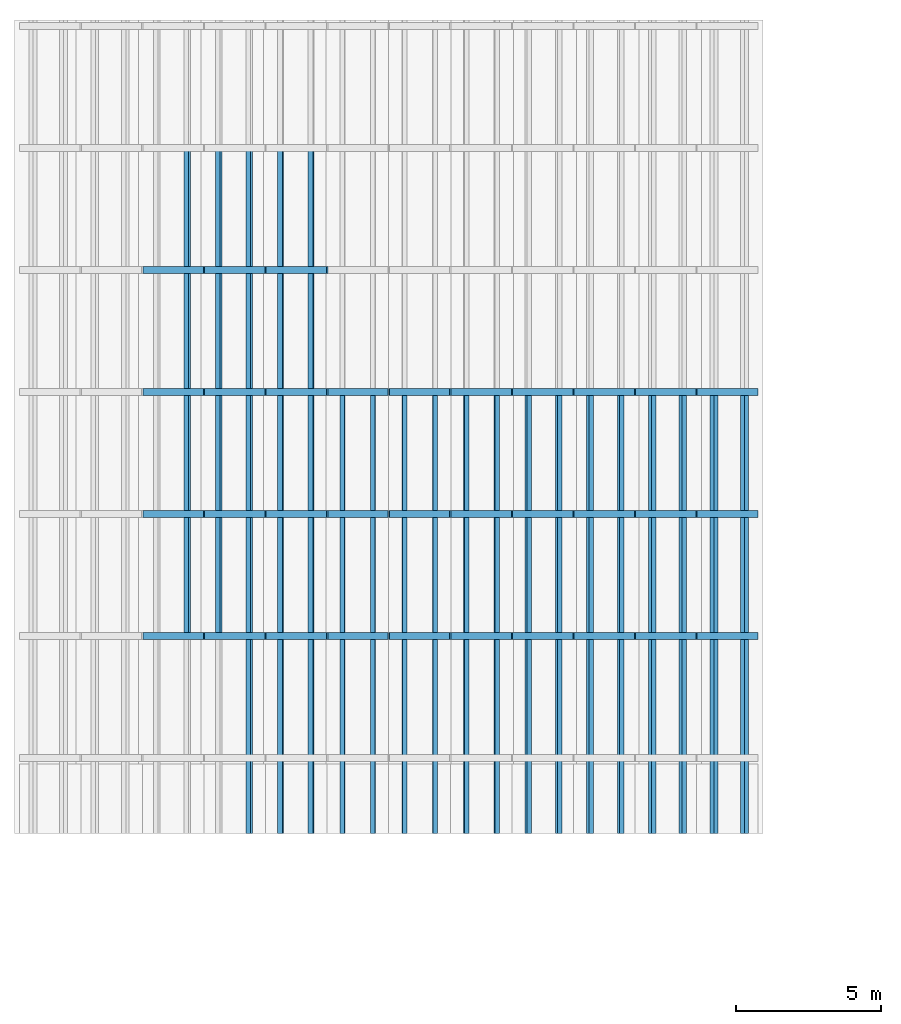
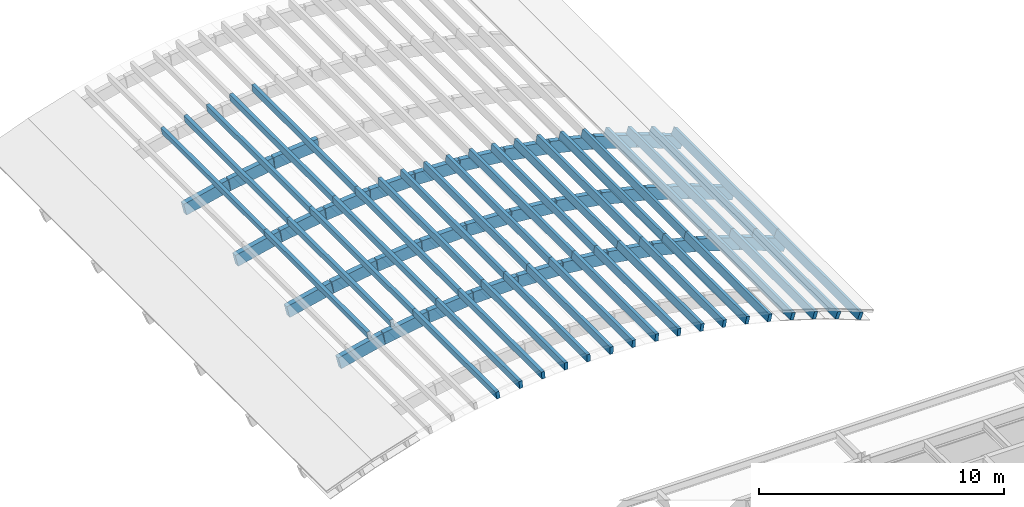
# One storey, part 54 of 116: 41 members, 33 beams.
"""IFC4 building model written with IfcOpenShell, lengths in metres."""

from ifc_helpers import new_model, si_unit, direction, frame, origin, origin_2d, place, context, subcontext, project, spatial, rectangle, extrude, material, material_profile, profile_set, type_object, element, save


model = new_model("IFC4")

# Units and contexts
model_context = context("Model", 3, precision=1e-05, world=origin(), true_north=direction((0.0, 1.0)))
body_context = subcontext(model_context, "Body", "Model", "MODEL_VIEW")
ifc_project = project(units=[si_unit("LENGTHUNIT", "METRE"), si_unit("AREAUNIT", "SQUARE_METRE"), si_unit("VOLUMEUNIT", "CUBIC_METRE"), si_unit("PLANEANGLEUNIT", "RADIAN"), si_unit("MASSUNIT", "GRAM", prefix="KILO")], contexts=[model_context])

# Site, building, storey
site_placement = place(None, origin())
site = spatial("IfcSite", under=ifc_project, at=site_placement, CompositionType="ELEMENT")
building_placement = place(site_placement, origin())
building = spatial("IfcBuilding", under=site, at=building_placement, Name="Ljudholm Concert House", CompositionType="ELEMENT")
storey_placement = place(building_placement, frame((0.0, 0.0, 10.199951171875)))
storey = spatial("IfcBuildingStorey", under=building, at=storey_placement, Name="L02", CompositionType="ELEMENT", Elevation=10.199951171875)

# Members
ifc_material_1 = material(Name="Glulam 24F-1.8E", Category="wood")
ifc_material_profile_1 = material_profile(ifc_material_1, rectangle(XDim=0.159912109375, YDim=0.360107421875, at=origin_2d()), Name="GLULAM PURLIN 160x360")
ifc_profile_set_1 = profile_set([ifc_material_profile_1], Name="Glulam 24F-1.8E")
member_type = type_object("IfcMemberType", Name="GLULAM PURLIN 160x360", PredefinedType="PURLIN", material=ifc_profile_set_1)
member_1_placement = place(storey_placement, frame((68.46533203125, 151.0, 1.901123046875), z_axis=(0.0, 1.0, 0.0), x_axis=(-0.973523031198, 0.0, -0.228588949267)))
element("IfcMember", 1, at=member_1_placement, inside=storey, type_object=member_type, Name="Glulam purlin", PredefinedType="PURLIN", context=body_context, shape_type="SweptSolid", body=[
    extrude(rectangle(XDim=0.159912109375, YDim=0.360107421875, at=origin_2d()), origin(), (0.0, 0.0, 1.0), 8.39990234375),
])
member_2_placement = place(storey_placement, frame((68.46533203125, 159.39990234375, 1.901123046875), z_axis=(0.0, 1.0, 0.0), x_axis=(-0.973523031198, 0.0, -0.228588949267)))
element("IfcMember", 2, at=member_2_placement, inside=storey, type_object=member_type, Name="Glulam purlin", PredefinedType="PURLIN", context=body_context, shape_type="SweptSolid", body=[
    extrude(rectangle(XDim=0.159912109375, YDim=0.360107421875, at=origin_2d()), origin(), (0.0, 0.0, 1.0), 8.400146484375),
])
member_3_placement = place(storey_placement, frame((69.546630859375, 151.0, 2.11767578125), z_axis=(0.0, 1.0, 0.0), x_axis=(-0.986580529884, 0.0, -0.163275405537)))
element("IfcMember", 3, at=member_3_placement, inside=storey, type_object=member_type, Name="Glulam purlin", PredefinedType="PURLIN", context=body_context, shape_type="SweptSolid", body=[
    extrude(rectangle(XDim=0.159912109375, YDim=0.360107421875, at=origin_2d()), origin(), (0.0, 0.0, 1.0), 8.39990234375),
])
member_4_placement = place(storey_placement, frame((69.546630859375, 159.39990234375, 2.11767578125), z_axis=(0.0, 1.0, 0.0), x_axis=(-0.986580529884, 0.0, -0.163275405537)))
element("IfcMember", 4, at=member_4_placement, inside=storey, type_object=member_type, Name="Glulam purlin", PredefinedType="PURLIN", context=body_context, shape_type="SweptSolid", body=[
    extrude(rectangle(XDim=0.159912109375, YDim=0.360107421875, at=origin_2d()), origin(), (0.0, 0.0, 1.0), 8.400146484375),
])
member_5_placement = place(storey_placement, frame((70.5966796875, 144.199951171875, 2.29150390625), z_axis=(0.0, 1.0, 0.0), x_axis=(-0.986580529884, 0.0, -0.163275405537)))
element("IfcMember", 5, at=member_5_placement, inside=storey, type_object=member_type, Name="Glulam purlin", PredefinedType="PURLIN", context=body_context, shape_type="SweptSolid", body=[
    extrude(rectangle(XDim=0.159912109375, YDim=0.360107421875, at=origin_2d()), origin(), (0.0, 0.0, 1.0), 6.800048828125),
])
member_6_placement = place(storey_placement, frame((70.5966796875, 151.0, 2.29150390625), z_axis=(0.0, 1.0, 0.0), x_axis=(-0.986580529884, 0.0, -0.163275405537)))
element("IfcMember", 6, at=member_6_placement, inside=storey, type_object=member_type, Name="Glulam purlin", PredefinedType="PURLIN", context=body_context, shape_type="SweptSolid", body=[
    extrude(rectangle(XDim=0.159912109375, YDim=0.360107421875, at=origin_2d()), origin(), (0.0, 0.0, 1.0), 8.39990234375),
])
member_7_placement = place(storey_placement, frame((70.5966796875, 159.39990234375, 2.29150390625), z_axis=(0.0, 1.0, 0.0), x_axis=(-0.986580529884, 0.0, -0.163275405537)))
element("IfcMember", 7, at=member_7_placement, inside=storey, type_object=member_type, Name="Glulam purlin", PredefinedType="PURLIN", context=body_context, shape_type="SweptSolid", body=[
    extrude(rectangle(XDim=0.159912109375, YDim=0.360107421875, at=origin_2d()), origin(), (0.0, 0.0, 1.0), 8.400146484375),
])
member_8_placement = place(storey_placement, frame((71.677978515625, 144.199951171875, 2.43408203125), z_axis=(0.0, 1.0, 0.0), x_axis=(-0.995189927717, 0.0, -0.09796431886)))
element("IfcMember", 8, at=member_8_placement, inside=storey, type_object=member_type, Name="Glulam purlin", PredefinedType="PURLIN", context=body_context, shape_type="SweptSolid", body=[
    extrude(rectangle(XDim=0.159912109375, YDim=0.360107421875, at=origin_2d()), origin(), (0.0, 0.0, 1.0), 6.800048828125),
])
member_9_placement = place(storey_placement, frame((71.677978515625, 151.0, 2.43408203125), z_axis=(0.0, 1.0, 0.0), x_axis=(-0.995189927717, 0.0, -0.09796431886)))
element("IfcMember", 9, at=member_9_placement, inside=storey, type_object=member_type, Name="Glulam purlin", PredefinedType="PURLIN", context=body_context, shape_type="SweptSolid", body=[
    extrude(rectangle(XDim=0.159912109375, YDim=0.360107421875, at=origin_2d()), origin(), (0.0, 0.0, 1.0), 8.39990234375),
])
member_10_placement = place(storey_placement, frame((71.677978515625, 159.39990234375, 2.43408203125), z_axis=(0.0, 1.0, 0.0), x_axis=(-0.995189927717, 0.0, -0.09796431886)))
element("IfcMember", 10, at=member_10_placement, inside=storey, type_object=member_type, Name="Glulam purlin", PredefinedType="PURLIN", context=body_context, shape_type="SweptSolid", body=[
    extrude(rectangle(XDim=0.159912109375, YDim=0.360107421875, at=origin_2d()), origin(), (0.0, 0.0, 1.0), 8.400146484375),
])
member_11_placement = place(storey_placement, frame((72.72802734375, 144.199951171875, 2.537353515625), z_axis=(0.0, 1.0, 0.0), x_axis=(-0.995189927717, 0.0, -0.09796431886)))
element("IfcMember", 11, at=member_11_placement, inside=storey, type_object=member_type, Name="Glulam purlin", PredefinedType="PURLIN", context=body_context, shape_type="SweptSolid", body=[
    extrude(rectangle(XDim=0.159912109375, YDim=0.360107421875, at=origin_2d()), origin(), (0.0, 0.0, 1.0), 6.800048828125),
])
member_12_placement = place(storey_placement, frame((72.72802734375, 151.0, 2.537353515625), z_axis=(0.0, 1.0, 0.0), x_axis=(-0.995189927717, 0.0, -0.09796431886)))
element("IfcMember", 12, at=member_12_placement, inside=storey, type_object=member_type, Name="Glulam purlin", PredefinedType="PURLIN", context=body_context, shape_type="SweptSolid", body=[
    extrude(rectangle(XDim=0.159912109375, YDim=0.360107421875, at=origin_2d()), origin(), (0.0, 0.0, 1.0), 8.39990234375),
])
member_13_placement = place(storey_placement, frame((72.72802734375, 159.39990234375, 2.537353515625), z_axis=(0.0, 1.0, 0.0), x_axis=(-0.995189927717, 0.0, -0.09796431886)))
element("IfcMember", 13, at=member_13_placement, inside=storey, type_object=member_type, Name="Glulam purlin", PredefinedType="PURLIN", context=body_context, shape_type="SweptSolid", body=[
    extrude(rectangle(XDim=0.159912109375, YDim=0.360107421875, at=origin_2d()), origin(), (0.0, 0.0, 1.0), 8.400146484375),
])
member_14_placement = place(storey_placement, frame((73.809326171875, 144.199951171875, 2.6083984375), z_axis=(0.0, 1.0, 0.0), x_axis=(-0.999466695597, 0.0, -0.032654622831)))
element("IfcMember", 14, at=member_14_placement, inside=storey, type_object=member_type, Name="Glulam purlin", PredefinedType="PURLIN", context=body_context, shape_type="SweptSolid", body=[
    extrude(rectangle(XDim=0.159912109375, YDim=0.360107421875, at=origin_2d()), origin(), (0.0, 0.0, 1.0), 6.800048828125),
])
member_15_placement = place(storey_placement, frame((73.809326171875, 151.0, 2.6083984375), z_axis=(0.0, 1.0, 0.0), x_axis=(-0.999466695597, 0.0, -0.032654622831)))
element("IfcMember", 15, at=member_15_placement, inside=storey, type_object=member_type, Name="Glulam purlin", PredefinedType="PURLIN", context=body_context, shape_type="SweptSolid", body=[
    extrude(rectangle(XDim=0.159912109375, YDim=0.360107421875, at=origin_2d()), origin(), (0.0, 0.0, 1.0), 8.39990234375),
])
member_16_placement = place(storey_placement, frame((74.859375, 144.199951171875, 2.642578125), z_axis=(0.0, 1.0, 0.0), x_axis=(-0.999466695597, 0.0, -0.032654622831)))
element("IfcMember", 16, at=member_16_placement, inside=storey, type_object=member_type, Name="Glulam purlin", PredefinedType="PURLIN", context=body_context, shape_type="SweptSolid", body=[
    extrude(rectangle(XDim=0.159912109375, YDim=0.360107421875, at=origin_2d()), origin(), (0.0, 0.0, 1.0), 6.800048828125),
])
member_17_placement = place(storey_placement, frame((74.859375, 151.0, 2.642578125), z_axis=(0.0, 1.0, 0.0), x_axis=(-0.999466695597, 0.0, -0.032654622831)))
element("IfcMember", 17, at=member_17_placement, inside=storey, type_object=member_type, Name="Glulam purlin", PredefinedType="PURLIN", context=body_context, shape_type="SweptSolid", body=[
    extrude(rectangle(XDim=0.159912109375, YDim=0.360107421875, at=origin_2d()), origin(), (0.0, 0.0, 1.0), 8.39990234375),
])
member_18_placement = place(storey_placement, frame((75.940673828125, 144.199951171875, 2.642578125), z_axis=(0.0, 1.0, 0.0), x_axis=(-0.999466695597, 0.0, 0.032654622831)))
element("IfcMember", 18, at=member_18_placement, inside=storey, type_object=member_type, Name="Glulam purlin", PredefinedType="PURLIN", context=body_context, shape_type="SweptSolid", body=[
    extrude(rectangle(XDim=0.159912109375, YDim=0.360107421875, at=origin_2d()), origin(), (0.0, 0.0, 1.0), 6.800048828125),
])
member_19_placement = place(storey_placement, frame((75.940673828125, 151.0, 2.642578125), z_axis=(0.0, 1.0, 0.0), x_axis=(-0.999466695597, 0.0, 0.032654622831)))
element("IfcMember", 19, at=member_19_placement, inside=storey, type_object=member_type, Name="Glulam purlin", PredefinedType="PURLIN", context=body_context, shape_type="SweptSolid", body=[
    extrude(rectangle(XDim=0.159912109375, YDim=0.360107421875, at=origin_2d()), origin(), (0.0, 0.0, 1.0), 8.39990234375),
])
member_20_placement = place(storey_placement, frame((76.99072265625, 144.199951171875, 2.6083984375), z_axis=(0.0, 1.0, 0.0), x_axis=(-0.999466695597, 0.0, 0.032654622831)))
element("IfcMember", 20, at=member_20_placement, inside=storey, type_object=member_type, Name="Glulam purlin", PredefinedType="PURLIN", context=body_context, shape_type="SweptSolid", body=[
    extrude(rectangle(XDim=0.159912109375, YDim=0.360107421875, at=origin_2d()), origin(), (0.0, 0.0, 1.0), 6.800048828125),
])
member_21_placement = place(storey_placement, frame((76.99072265625, 151.0, 2.6083984375), z_axis=(0.0, 1.0, 0.0), x_axis=(-0.999466695597, 0.0, 0.032654622831)))
element("IfcMember", 21, at=member_21_placement, inside=storey, type_object=member_type, Name="Glulam purlin", PredefinedType="PURLIN", context=body_context, shape_type="SweptSolid", body=[
    extrude(rectangle(XDim=0.159912109375, YDim=0.360107421875, at=origin_2d()), origin(), (0.0, 0.0, 1.0), 8.39990234375),
])
member_22_placement = place(storey_placement, frame((78.072021484375, 144.199951171875, 2.537353515625), z_axis=(0.0, 1.0, 0.0), x_axis=(-0.995189927717, 0.0, 0.09796431886)))
element("IfcMember", 22, at=member_22_placement, inside=storey, type_object=member_type, Name="Glulam purlin", PredefinedType="PURLIN", context=body_context, shape_type="SweptSolid", body=[
    extrude(rectangle(XDim=0.159912109375, YDim=0.360107421875, at=origin_2d()), origin(), (0.0, 0.0, 1.0), 6.800048828125),
])
member_23_placement = place(storey_placement, frame((78.072021484375, 151.0, 2.537353515625), z_axis=(0.0, 1.0, 0.0), x_axis=(-0.995189927717, 0.0, 0.09796431886)))
element("IfcMember", 23, at=member_23_placement, inside=storey, type_object=member_type, Name="Glulam purlin", PredefinedType="PURLIN", context=body_context, shape_type="SweptSolid", body=[
    extrude(rectangle(XDim=0.159912109375, YDim=0.360107421875, at=origin_2d()), origin(), (0.0, 0.0, 1.0), 8.39990234375),
])
member_24_placement = place(storey_placement, frame((79.1220703125, 144.199951171875, 2.43408203125), z_axis=(0.0, 1.0, 0.0), x_axis=(-0.995189927717, 0.0, 0.09796431886)))
element("IfcMember", 24, at=member_24_placement, inside=storey, type_object=member_type, Name="Glulam purlin", PredefinedType="PURLIN", context=body_context, shape_type="SweptSolid", body=[
    extrude(rectangle(XDim=0.159912109375, YDim=0.360107421875, at=origin_2d()), origin(), (0.0, 0.0, 1.0), 6.800048828125),
])
member_25_placement = place(storey_placement, frame((79.1220703125, 151.0, 2.43408203125), z_axis=(0.0, 1.0, 0.0), x_axis=(-0.995189927717, 0.0, 0.09796431886)))
element("IfcMember", 25, at=member_25_placement, inside=storey, type_object=member_type, Name="Glulam purlin", PredefinedType="PURLIN", context=body_context, shape_type="SweptSolid", body=[
    extrude(rectangle(XDim=0.159912109375, YDim=0.360107421875, at=origin_2d()), origin(), (0.0, 0.0, 1.0), 8.39990234375),
])
member_26_placement = place(storey_placement, frame((80.203369140625, 144.199951171875, 2.29150390625), z_axis=(0.0, 1.0, 0.0), x_axis=(-0.986580529884, 0.0, 0.163275405537)))
element("IfcMember", 26, at=member_26_placement, inside=storey, type_object=member_type, Name="Glulam purlin", PredefinedType="PURLIN", context=body_context, shape_type="SweptSolid", body=[
    extrude(rectangle(XDim=0.159912109375, YDim=0.360107421875, at=origin_2d()), origin(), (0.0, 0.0, 1.0), 6.800048828125),
])
member_27_placement = place(storey_placement, frame((80.203369140625, 151.0, 2.29150390625), z_axis=(0.0, 1.0, 0.0), x_axis=(-0.986580529884, 0.0, 0.163275405537)))
element("IfcMember", 27, at=member_27_placement, inside=storey, type_object=member_type, Name="Glulam purlin", PredefinedType="PURLIN", context=body_context, shape_type="SweptSolid", body=[
    extrude(rectangle(XDim=0.159912109375, YDim=0.360107421875, at=origin_2d()), origin(), (0.0, 0.0, 1.0), 8.39990234375),
])
member_28_placement = place(storey_placement, frame((81.25341796875, 144.199951171875, 2.11767578125), z_axis=(0.0, 1.0, 0.0), x_axis=(-0.986580529884, 0.0, 0.163275405537)))
element("IfcMember", 28, at=member_28_placement, inside=storey, type_object=member_type, Name="Glulam purlin", PredefinedType="PURLIN", context=body_context, shape_type="SweptSolid", body=[
    extrude(rectangle(XDim=0.159912109375, YDim=0.360107421875, at=origin_2d()), origin(), (0.0, 0.0, 1.0), 6.800048828125),
])
member_29_placement = place(storey_placement, frame((81.25341796875, 151.0, 2.11767578125), z_axis=(0.0, 1.0, 0.0), x_axis=(-0.986580529884, 0.0, 0.163275405537)))
element("IfcMember", 29, at=member_29_placement, inside=storey, type_object=member_type, Name="Glulam purlin", PredefinedType="PURLIN", context=body_context, shape_type="SweptSolid", body=[
    extrude(rectangle(XDim=0.159912109375, YDim=0.360107421875, at=origin_2d()), origin(), (0.0, 0.0, 1.0), 8.39990234375),
])
member_30_placement = place(storey_placement, frame((82.334716796875, 144.199951171875, 1.901123046875), z_axis=(0.0, 1.0, 0.0), x_axis=(-0.973523031198, 0.0, 0.228588949267)))
element("IfcMember", 30, at=member_30_placement, inside=storey, type_object=member_type, Name="Glulam purlin", PredefinedType="PURLIN", context=body_context, shape_type="SweptSolid", body=[
    extrude(rectangle(XDim=0.159912109375, YDim=0.360107421875, at=origin_2d()), origin(), (0.0, 0.0, 1.0), 6.800048828125),
])
member_31_placement = place(storey_placement, frame((82.334716796875, 151.0, 1.901123046875), z_axis=(0.0, 1.0, 0.0), x_axis=(-0.973523031198, 0.0, 0.228588949267)))
element("IfcMember", 31, at=member_31_placement, inside=storey, type_object=member_type, Name="Glulam purlin", PredefinedType="PURLIN", context=body_context, shape_type="SweptSolid", body=[
    extrude(rectangle(XDim=0.159912109375, YDim=0.360107421875, at=origin_2d()), origin(), (0.0, 0.0, 1.0), 8.39990234375),
])
member_32_placement = place(storey_placement, frame((83.384765625, 144.199951171875, 1.654541015625), z_axis=(0.0, 1.0, 0.0), x_axis=(-0.973523031198, 0.0, 0.228588949267)))
element("IfcMember", 32, at=member_32_placement, inside=storey, type_object=member_type, Name="Glulam purlin", PredefinedType="PURLIN", context=body_context, shape_type="SweptSolid", body=[
    extrude(rectangle(XDim=0.159912109375, YDim=0.360107421875, at=origin_2d()), origin(), (0.0, 0.0, 1.0), 6.800048828125),
])
member_33_placement = place(storey_placement, frame((83.384765625, 151.0, 1.654541015625), z_axis=(0.0, 1.0, 0.0), x_axis=(-0.973523031198, 0.0, 0.228588949267)))
element("IfcMember", 33, at=member_33_placement, inside=storey, type_object=member_type, Name="Glulam purlin", PredefinedType="PURLIN", context=body_context, shape_type="SweptSolid", body=[
    extrude(rectangle(XDim=0.159912109375, YDim=0.360107421875, at=origin_2d()), origin(), (0.0, 0.0, 1.0), 8.39990234375),
])
member_34_placement = place(storey_placement, frame((84.466064453125, 144.199951171875, 1.361572265625), z_axis=(0.0, 1.0, 0.0), x_axis=(-0.955834250124, 0.0, 0.293906254255)))
element("IfcMember", 34, at=member_34_placement, inside=storey, type_object=member_type, Name="Glulam purlin", PredefinedType="PURLIN", context=body_context, shape_type="SweptSolid", body=[
    extrude(rectangle(XDim=0.159912109375, YDim=0.360107421875, at=origin_2d()), origin(), (0.0, 0.0, 1.0), 6.800048828125),
])
member_35_placement = place(storey_placement, frame((84.466064453125, 151.0, 1.361572265625), z_axis=(0.0, 1.0, 0.0), x_axis=(-0.955834250124, 0.0, 0.293906254255)))
element("IfcMember", 35, at=member_35_placement, inside=storey, type_object=member_type, Name="Glulam purlin", PredefinedType="PURLIN", context=body_context, shape_type="SweptSolid", body=[
    extrude(rectangle(XDim=0.159912109375, YDim=0.360107421875, at=origin_2d()), origin(), (0.0, 0.0, 1.0), 8.39990234375),
])
member_36_placement = place(storey_placement, frame((85.51611328125, 144.199951171875, 1.03857421875), z_axis=(0.0, 1.0, 0.0), x_axis=(-0.955834250124, 0.0, 0.293906254255)))
element("IfcMember", 36, at=member_36_placement, inside=storey, type_object=member_type, Name="Glulam purlin", PredefinedType="PURLIN", context=body_context, shape_type="SweptSolid", body=[
    extrude(rectangle(XDim=0.159912109375, YDim=0.360107421875, at=origin_2d()), origin(), (0.0, 0.0, 1.0), 6.800048828125),
])
member_37_placement = place(storey_placement, frame((85.51611328125, 151.0, 1.03857421875), z_axis=(0.0, 1.0, 0.0), x_axis=(-0.955834250124, 0.0, 0.293906254255)))
element("IfcMember", 37, at=member_37_placement, inside=storey, type_object=member_type, Name="Glulam purlin", PredefinedType="PURLIN", context=body_context, shape_type="SweptSolid", body=[
    extrude(rectangle(XDim=0.159912109375, YDim=0.360107421875, at=origin_2d()), origin(), (0.0, 0.0, 1.0), 8.39990234375),
])
member_38_placement = place(storey_placement, frame((86.597412109375, 144.199951171875, 0.664306640625), z_axis=(0.0, 1.0, 0.0), x_axis=(-0.933249434597, 0.0, 0.359229025587)))
element("IfcMember", 38, at=member_38_placement, inside=storey, type_object=member_type, Name="Glulam purlin", PredefinedType="PURLIN", context=body_context, shape_type="SweptSolid", body=[
    extrude(rectangle(XDim=0.159912109375, YDim=0.360107421875, at=origin_2d()), origin(), (0.0, 0.0, 1.0), 6.800048828125),
])
member_39_placement = place(storey_placement, frame((86.597412109375, 151.0, 0.664306640625), z_axis=(0.0, 1.0, 0.0), x_axis=(-0.933249434597, 0.0, 0.359229025587)))
element("IfcMember", 39, at=member_39_placement, inside=storey, type_object=member_type, Name="Glulam purlin", PredefinedType="PURLIN", context=body_context, shape_type="SweptSolid", body=[
    extrude(rectangle(XDim=0.159912109375, YDim=0.360107421875, at=origin_2d()), origin(), (0.0, 0.0, 1.0), 8.39990234375),
])
member_40_placement = place(storey_placement, frame((87.6474609375, 144.199951171875, 0.260009765625), z_axis=(0.0, 1.0, 0.0), x_axis=(-0.933249434597, 0.0, 0.359229025587)))
element("IfcMember", 40, at=member_40_placement, inside=storey, type_object=member_type, Name="Glulam purlin", PredefinedType="PURLIN", context=body_context, shape_type="SweptSolid", body=[
    extrude(rectangle(XDim=0.159912109375, YDim=0.360107421875, at=origin_2d()), origin(), (0.0, 0.0, 1.0), 6.800048828125),
])
member_41_placement = place(storey_placement, frame((87.6474609375, 151.0, 0.260009765625), z_axis=(0.0, 1.0, 0.0), x_axis=(-0.933249434597, 0.0, 0.359229025587)))
element("IfcMember", 41, at=member_41_placement, inside=storey, type_object=member_type, Name="Glulam purlin", PredefinedType="PURLIN", context=body_context, shape_type="SweptSolid", body=[
    extrude(rectangle(XDim=0.159912109375, YDim=0.360107421875, at=origin_2d()), origin(), (0.0, 0.0, 1.0), 8.39990234375),
])

# Beams
ifc_material_2 = material(Name="Glulam 24F-1.8E", Category="wood")
ifc_material_profile_2 = material_profile(ifc_material_2, rectangle(XDim=0.239990234375, YDim=0.60009765625, at=origin_2d()), Name="GLULAM RIB 240x600")
ifc_profile_set_2 = profile_set([ifc_material_profile_2], Name="Glulam 24F-1.8E")
beam_type = type_object("IfcBeamType", Name="GLULAM RIB 240x600", PredefinedType="BEAM", material=ifc_profile_set_2)
beam_1_placement = place(storey_placement, frame((67.01171875, 151.0, 1.06689453125), z_axis=(0.973529626595, 0.0, 0.228560858725), x_axis=(0.0, 1.0, 0.0)))
element("IfcBeam", 42, at=beam_1_placement, inside=storey, type_object=beam_type, Name="Glulam rib 2", PredefinedType="BEAM", context=body_context, shape_type="SweptSolid", body=[
    extrude(rectangle(XDim=0.239990234375, YDim=0.60009765625, at=origin_2d()), origin(), (0.0, 0.0, 1.0), 2.133056640625),
])
beam_2_placement = place(storey_placement, frame((69.11181640625, 151.0, 1.55908203125), z_axis=(0.98657204235, 0.0, 0.163326682614), x_axis=(0.0, 1.0, 0.0)))
element("IfcBeam", 43, at=beam_2_placement, inside=storey, type_object=beam_type, Name="Glulam rib 2", PredefinedType="BEAM", context=body_context, shape_type="SweptSolid", body=[
    extrude(rectangle(XDim=0.239990234375, YDim=0.60009765625, at=origin_2d()), origin(), (0.0, 0.0, 1.0), 2.104736328125),
])
beam_3_placement = place(storey_placement, frame((71.2119140625, 151.0, 1.906005859375), z_axis=(0.995191241426, 0.0, 0.097950972375), x_axis=(0.0, 1.0, 0.0)))
element("IfcBeam", 44, at=beam_3_placement, inside=storey, type_object=beam_type, Name="Glulam rib 2", PredefinedType="BEAM", context=body_context, shape_type="SweptSolid", body=[
    extrude(rectangle(XDim=0.239990234375, YDim=0.60009765625, at=origin_2d()), origin(), (0.0, 0.0, 1.0), 2.086181640625),
])
for number, where, z_axis, x_axis, name in (
    (45, (73.31201171875, 151.0, 2.11181640625), (0.999465968052, 0.0, 0.032676883349), (0.0, 1.0, 0.0), "Glulam rib 2"),
    (46, (75.412109375, 151.0, 2.1796875), (0.999465968052, 0.0, -0.032676883349), (0.0, 1.0, 0.0), "Glulam rib 2"),
):
    element("IfcBeam", number, at=place(storey_placement, frame(where, z_axis=z_axis, x_axis=x_axis)), inside=storey, type_object=beam_type, Name=name, PredefinedType="BEAM", context=body_context, shape_type="SweptSolid", body=[
        extrude(rectangle(XDim=0.239990234375, YDim=0.60009765625, at=origin_2d()), origin(), (0.0, 0.0, 1.0), 2.0771484375),
    ])
beam_4_placement = place(storey_placement, frame((77.511962890625, 151.0, 2.1103515625), z_axis=(0.995191241426, 0.0, -0.097950972375), x_axis=(0.0, 1.0, 0.0)))
element("IfcBeam", 47, at=beam_4_placement, inside=storey, type_object=beam_type, Name="Glulam rib 2", PredefinedType="BEAM", context=body_context, shape_type="SweptSolid", body=[
    extrude(rectangle(XDim=0.239990234375, YDim=0.60009765625, at=origin_2d()), origin(), (0.0, 0.0, 1.0), 2.086181640625),
])
beam_5_placement = place(storey_placement, frame((79.61181640625, 151.0, 1.90283203125), z_axis=(0.98657204235, 0.0, -0.163326682614), x_axis=(0.0, 1.0, 0.0)))
element("IfcBeam", 48, at=beam_5_placement, inside=storey, type_object=beam_type, Name="Glulam rib 2", PredefinedType="BEAM", context=body_context, shape_type="SweptSolid", body=[
    extrude(rectangle(XDim=0.239990234375, YDim=0.60009765625, at=origin_2d()), origin(), (0.0, 0.0, 1.0), 2.104736328125),
])
beam_6_placement = place(storey_placement, frame((81.711669921875, 151.0, 1.554443359375), z_axis=(0.973529626595, 0.0, -0.228560858725), x_axis=(0.0, 1.0, 0.0)))
element("IfcBeam", 49, at=beam_6_placement, inside=storey, type_object=beam_type, Name="Glulam rib 2", PredefinedType="BEAM", context=body_context, shape_type="SweptSolid", body=[
    extrude(rectangle(XDim=0.239990234375, YDim=0.60009765625, at=origin_2d()), origin(), (0.0, 0.0, 1.0), 2.133056640625),
])
beam_7_placement = place(storey_placement, frame((83.8115234375, 151.0, 1.060546875), z_axis=(0.955827582823, 0.0, -0.293927936601), x_axis=(0.0, 1.0, 0.0)))
element("IfcBeam", 50, at=beam_7_placement, inside=storey, type_object=beam_type, Name="Glulam rib 2", PredefinedType="BEAM", context=body_context, shape_type="SweptSolid", body=[
    extrude(rectangle(XDim=0.239990234375, YDim=0.60009765625, at=origin_2d()), origin(), (0.0, 0.0, 1.0), 2.1728515625),
])
beam_8_placement = place(storey_placement, frame((85.9111328125, 151.0, 0.4140625), z_axis=(0.933264055401, 0.0, -0.359191039555), x_axis=(0.0, 1.0, 0.0)))
element("IfcBeam", 51, at=beam_8_placement, inside=storey, type_object=beam_type, Name="Glulam rib 2", PredefinedType="BEAM", context=body_context, shape_type="SweptSolid", body=[
    extrude(rectangle(XDim=0.239990234375, YDim=0.60009765625, at=origin_2d()), origin(), (0.0, 0.0, 1.0), 2.23828125),
])
beam_9_placement = place(storey_placement, frame((67.01171875, 155.199951171875, 1.06689453125), z_axis=(0.973529626595, 0.0, 0.228560858725), x_axis=(0.0, 1.0, 0.0)))
element("IfcBeam", 52, at=beam_9_placement, inside=storey, type_object=beam_type, Name="Glulam rib 3", PredefinedType="BEAM", context=body_context, shape_type="SweptSolid", body=[
    extrude(rectangle(XDim=0.239990234375, YDim=0.60009765625, at=origin_2d()), origin(), (0.0, 0.0, 1.0), 2.133056640625),
])
beam_10_placement = place(storey_placement, frame((69.11181640625, 155.199951171875, 1.55908203125), z_axis=(0.98657204235, 0.0, 0.163326682614), x_axis=(0.0, 1.0, 0.0)))
element("IfcBeam", 53, at=beam_10_placement, inside=storey, type_object=beam_type, Name="Glulam rib 3", PredefinedType="BEAM", context=body_context, shape_type="SweptSolid", body=[
    extrude(rectangle(XDim=0.239990234375, YDim=0.60009765625, at=origin_2d()), origin(), (0.0, 0.0, 1.0), 2.104736328125),
])
beam_11_placement = place(storey_placement, frame((71.2119140625, 155.199951171875, 1.906005859375), z_axis=(0.995191241426, 0.0, 0.097950972375), x_axis=(0.0, 1.0, 0.0)))
element("IfcBeam", 54, at=beam_11_placement, inside=storey, type_object=beam_type, Name="Glulam rib 3", PredefinedType="BEAM", context=body_context, shape_type="SweptSolid", body=[
    extrude(rectangle(XDim=0.239990234375, YDim=0.60009765625, at=origin_2d()), origin(), (0.0, 0.0, 1.0), 2.086181640625),
])
for number, where, z_axis, x_axis, name in (
    (55, (73.31201171875, 155.199951171875, 2.11181640625), (0.999465968052, 0.0, 0.032676883349), (0.0, 1.0, 0.0), "Glulam rib 3"),
    (56, (75.412109375, 155.199951171875, 2.1796875), (0.999465968052, 0.0, -0.032676883349), (0.0, 1.0, 0.0), "Glulam rib 3"),
):
    element("IfcBeam", number, at=place(storey_placement, frame(where, z_axis=z_axis, x_axis=x_axis)), inside=storey, type_object=beam_type, Name=name, PredefinedType="BEAM", context=body_context, shape_type="SweptSolid", body=[
        extrude(rectangle(XDim=0.239990234375, YDim=0.60009765625, at=origin_2d()), origin(), (0.0, 0.0, 1.0), 2.0771484375),
    ])
beam_12_placement = place(storey_placement, frame((77.511962890625, 155.199951171875, 2.1103515625), z_axis=(0.995191241426, 0.0, -0.097950972375), x_axis=(0.0, 1.0, 0.0)))
element("IfcBeam", 57, at=beam_12_placement, inside=storey, type_object=beam_type, Name="Glulam rib 3", PredefinedType="BEAM", context=body_context, shape_type="SweptSolid", body=[
    extrude(rectangle(XDim=0.239990234375, YDim=0.60009765625, at=origin_2d()), origin(), (0.0, 0.0, 1.0), 2.086181640625),
])
beam_13_placement = place(storey_placement, frame((79.61181640625, 155.199951171875, 1.90283203125), z_axis=(0.98657204235, 0.0, -0.163326682614), x_axis=(0.0, 1.0, 0.0)))
element("IfcBeam", 58, at=beam_13_placement, inside=storey, type_object=beam_type, Name="Glulam rib 3", PredefinedType="BEAM", context=body_context, shape_type="SweptSolid", body=[
    extrude(rectangle(XDim=0.239990234375, YDim=0.60009765625, at=origin_2d()), origin(), (0.0, 0.0, 1.0), 2.104736328125),
])
beam_14_placement = place(storey_placement, frame((81.711669921875, 155.199951171875, 1.554443359375), z_axis=(0.973529626595, 0.0, -0.228560858725), x_axis=(0.0, 1.0, 0.0)))
element("IfcBeam", 59, at=beam_14_placement, inside=storey, type_object=beam_type, Name="Glulam rib 3", PredefinedType="BEAM", context=body_context, shape_type="SweptSolid", body=[
    extrude(rectangle(XDim=0.239990234375, YDim=0.60009765625, at=origin_2d()), origin(), (0.0, 0.0, 1.0), 2.133056640625),
])
beam_15_placement = place(storey_placement, frame((83.8115234375, 155.199951171875, 1.060546875), z_axis=(0.955827582823, 0.0, -0.293927936601), x_axis=(0.0, 1.0, 0.0)))
element("IfcBeam", 60, at=beam_15_placement, inside=storey, type_object=beam_type, Name="Glulam rib 3", PredefinedType="BEAM", context=body_context, shape_type="SweptSolid", body=[
    extrude(rectangle(XDim=0.239990234375, YDim=0.60009765625, at=origin_2d()), origin(), (0.0, 0.0, 1.0), 2.1728515625),
])
beam_16_placement = place(storey_placement, frame((85.9111328125, 155.199951171875, 0.4140625), z_axis=(0.933264055401, 0.0, -0.359191039555), x_axis=(0.0, 1.0, 0.0)))
element("IfcBeam", 61, at=beam_16_placement, inside=storey, type_object=beam_type, Name="Glulam rib 3", PredefinedType="BEAM", context=body_context, shape_type="SweptSolid", body=[
    extrude(rectangle(XDim=0.239990234375, YDim=0.60009765625, at=origin_2d()), origin(), (0.0, 0.0, 1.0), 2.23828125),
])
beam_17_placement = place(storey_placement, frame((67.01171875, 159.39990234375, 1.06689453125), z_axis=(0.973529626595, 0.0, 0.228560858725), x_axis=(0.0, 1.0, 0.0)))
element("IfcBeam", 62, at=beam_17_placement, inside=storey, type_object=beam_type, Name="Glulam rib 4", PredefinedType="BEAM", context=body_context, shape_type="SweptSolid", body=[
    extrude(rectangle(XDim=0.239990234375, YDim=0.60009765625, at=origin_2d()), origin(), (0.0, 0.0, 1.0), 2.133056640625),
])
beam_18_placement = place(storey_placement, frame((69.11181640625, 159.39990234375, 1.55908203125), z_axis=(0.98657204235, 0.0, 0.163326682614), x_axis=(0.0, 1.0, 0.0)))
element("IfcBeam", 63, at=beam_18_placement, inside=storey, type_object=beam_type, Name="Glulam rib 4", PredefinedType="BEAM", context=body_context, shape_type="SweptSolid", body=[
    extrude(rectangle(XDim=0.239990234375, YDim=0.60009765625, at=origin_2d()), origin(), (0.0, 0.0, 1.0), 2.104736328125),
])
beam_19_placement = place(storey_placement, frame((71.2119140625, 159.39990234375, 1.906005859375), z_axis=(0.995191241426, 0.0, 0.097950972375), x_axis=(0.0, 1.0, 0.0)))
element("IfcBeam", 64, at=beam_19_placement, inside=storey, type_object=beam_type, Name="Glulam rib 4", PredefinedType="BEAM", context=body_context, shape_type="SweptSolid", body=[
    extrude(rectangle(XDim=0.239990234375, YDim=0.60009765625, at=origin_2d()), origin(), (0.0, 0.0, 1.0), 2.086181640625),
])
for number, where, z_axis, x_axis, name in (
    (65, (73.31201171875, 159.39990234375, 2.11181640625), (0.999465968052, 0.0, 0.032676883349), (0.0, 1.0, 0.0), "Glulam rib 4"),
    (66, (75.412109375, 159.39990234375, 2.1796875), (0.999465968052, 0.0, -0.032676883349), (0.0, 1.0, 0.0), "Glulam rib 4"),
):
    element("IfcBeam", number, at=place(storey_placement, frame(where, z_axis=z_axis, x_axis=x_axis)), inside=storey, type_object=beam_type, Name=name, PredefinedType="BEAM", context=body_context, shape_type="SweptSolid", body=[
        extrude(rectangle(XDim=0.239990234375, YDim=0.60009765625, at=origin_2d()), origin(), (0.0, 0.0, 1.0), 2.0771484375),
    ])
beam_20_placement = place(storey_placement, frame((77.511962890625, 159.39990234375, 2.1103515625), z_axis=(0.995191241426, 0.0, -0.097950972375), x_axis=(0.0, 1.0, 0.0)))
element("IfcBeam", 67, at=beam_20_placement, inside=storey, type_object=beam_type, Name="Glulam rib 4", PredefinedType="BEAM", context=body_context, shape_type="SweptSolid", body=[
    extrude(rectangle(XDim=0.239990234375, YDim=0.60009765625, at=origin_2d()), origin(), (0.0, 0.0, 1.0), 2.086181640625),
])
beam_21_placement = place(storey_placement, frame((79.61181640625, 159.39990234375, 1.90283203125), z_axis=(0.98657204235, 0.0, -0.163326682614), x_axis=(0.0, 1.0, 0.0)))
element("IfcBeam", 68, at=beam_21_placement, inside=storey, type_object=beam_type, Name="Glulam rib 4", PredefinedType="BEAM", context=body_context, shape_type="SweptSolid", body=[
    extrude(rectangle(XDim=0.239990234375, YDim=0.60009765625, at=origin_2d()), origin(), (0.0, 0.0, 1.0), 2.104736328125),
])
beam_22_placement = place(storey_placement, frame((81.711669921875, 159.39990234375, 1.554443359375), z_axis=(0.973529626595, 0.0, -0.228560858725), x_axis=(0.0, 1.0, 0.0)))
element("IfcBeam", 69, at=beam_22_placement, inside=storey, type_object=beam_type, Name="Glulam rib 4", PredefinedType="BEAM", context=body_context, shape_type="SweptSolid", body=[
    extrude(rectangle(XDim=0.239990234375, YDim=0.60009765625, at=origin_2d()), origin(), (0.0, 0.0, 1.0), 2.133056640625),
])
beam_23_placement = place(storey_placement, frame((83.8115234375, 159.39990234375, 1.060546875), z_axis=(0.955827582823, 0.0, -0.293927936601), x_axis=(0.0, 1.0, 0.0)))
element("IfcBeam", 70, at=beam_23_placement, inside=storey, type_object=beam_type, Name="Glulam rib 4", PredefinedType="BEAM", context=body_context, shape_type="SweptSolid", body=[
    extrude(rectangle(XDim=0.239990234375, YDim=0.60009765625, at=origin_2d()), origin(), (0.0, 0.0, 1.0), 2.1728515625),
])
beam_24_placement = place(storey_placement, frame((85.9111328125, 159.39990234375, 0.4140625), z_axis=(0.933264055401, 0.0, -0.359191039555), x_axis=(0.0, 1.0, 0.0)))
element("IfcBeam", 71, at=beam_24_placement, inside=storey, type_object=beam_type, Name="Glulam rib 4", PredefinedType="BEAM", context=body_context, shape_type="SweptSolid", body=[
    extrude(rectangle(XDim=0.239990234375, YDim=0.60009765625, at=origin_2d()), origin(), (0.0, 0.0, 1.0), 2.23828125),
])
beam_25_placement = place(storey_placement, frame((67.01171875, 163.60009765625, 1.06689453125), z_axis=(0.973529626595, 0.0, 0.228560858725), x_axis=(0.0, 1.0, 0.0)))
element("IfcBeam", 72, at=beam_25_placement, inside=storey, type_object=beam_type, Name="Glulam rib 5", PredefinedType="BEAM", context=body_context, shape_type="SweptSolid", body=[
    extrude(rectangle(XDim=0.239990234375, YDim=0.60009765625, at=origin_2d()), origin(), (0.0, 0.0, 1.0), 2.133056640625),
])
beam_26_placement = place(storey_placement, frame((69.11181640625, 163.60009765625, 1.55908203125), z_axis=(0.98657204235, 0.0, 0.163326682614), x_axis=(0.0, 1.0, 0.0)))
element("IfcBeam", 73, at=beam_26_placement, inside=storey, type_object=beam_type, Name="Glulam rib 5", PredefinedType="BEAM", context=body_context, shape_type="SweptSolid", body=[
    extrude(rectangle(XDim=0.239990234375, YDim=0.60009765625, at=origin_2d()), origin(), (0.0, 0.0, 1.0), 2.104736328125),
])
beam_27_placement = place(storey_placement, frame((71.2119140625, 163.60009765625, 1.906005859375), z_axis=(0.995191241426, 0.0, 0.097950972375), x_axis=(0.0, 1.0, 0.0)))
element("IfcBeam", 74, at=beam_27_placement, inside=storey, type_object=beam_type, Name="Glulam rib 5", PredefinedType="BEAM", context=body_context, shape_type="SweptSolid", body=[
    extrude(rectangle(XDim=0.239990234375, YDim=0.60009765625, at=origin_2d()), origin(), (0.0, 0.0, 1.0), 2.086181640625),
])

save(model, "model.ifc")
